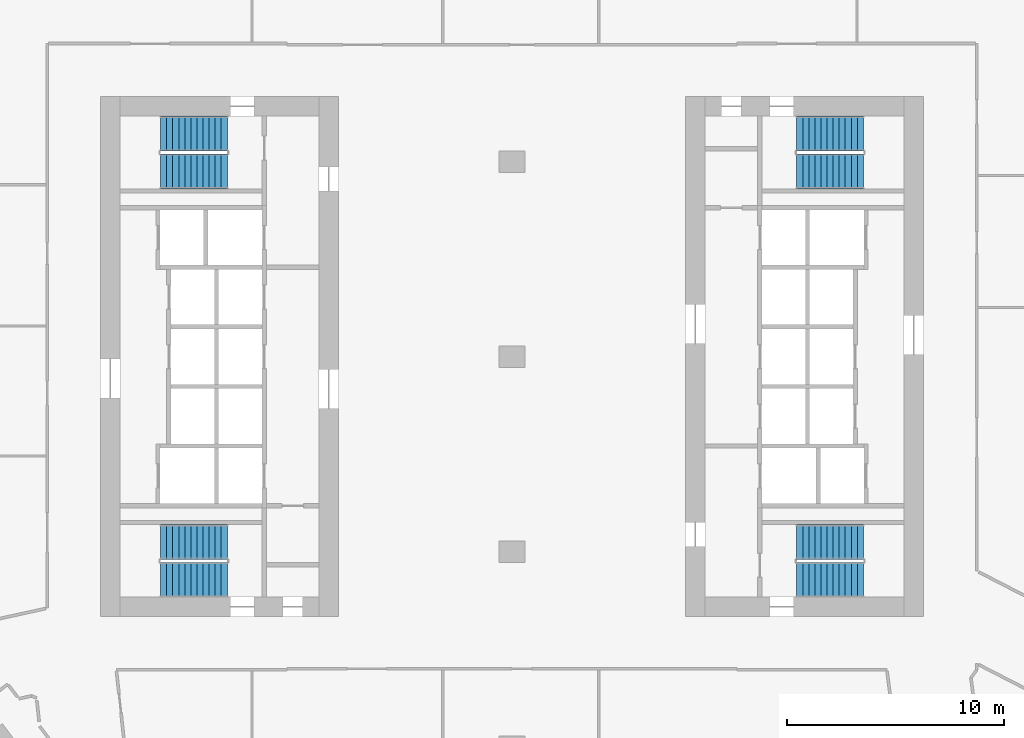
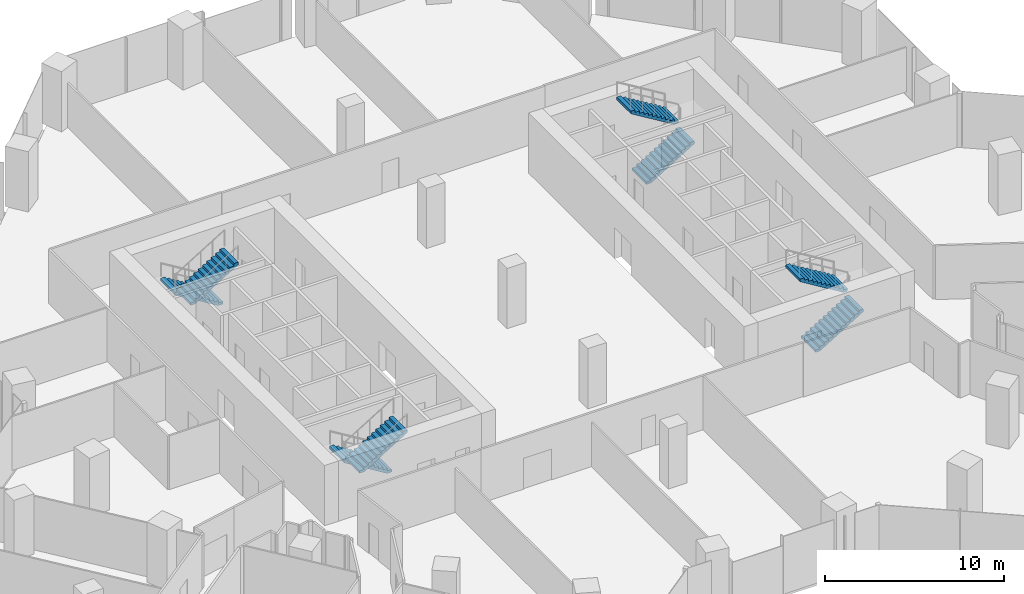
# One storey, part 27 of 29: 8 stair flights, 4 elements without a shape of their own.
"""IFC4 building model written with IfcOpenShell, lengths in metres."""

import ifcopenshell
import ifcopenshell.guid

model = None  # the IFC model being written
_history = None  # IfcOwnerHistory: only IFC2X3 demands one
_inside = {}  # id of a spatial element -> (the spatial element, [elements in it])
_under = {}  # id of a project, library or spatial element -> (it, [spatial elements below it])
_declared = {}  # id of a project -> (the project, [libraries it declares])
_typed = {}  # id of a type object -> (the type object, [elements of that type])
_made_of = {}  # id of a material, layer set ... -> (it, [elements and type objects made of it])


def new_model(schema):
    """Start an empty IFC model of exactly this schema.

    Asked for "IFC4X3", IfcOpenShell would pick the latest addendum, in which some entities
    have other attributes; the version numbers below select the first issue.
    IFC2X3 requires an IfcOwnerHistory on every rooted entity: one is made here for all.
    """
    global model, _history
    if schema == "IFC4X3":
        model = ifcopenshell.file(schema_version=(4, 3, 0, 0))
    else:
        model = ifcopenshell.file(schema=schema)
    _inside.clear()
    _under.clear()
    _declared.clear()
    _typed.clear()
    _made_of.clear()
    _history = None
    if model.schema == "IFC2X3":
        org = make("IfcOrganization", Name="unknown")
        user = make(
            "IfcPersonAndOrganization",
            ThePerson=make("IfcPerson", FamilyName="unknown"),
            TheOrganization=org,
        )
        app = make(
            "IfcApplication",
            ApplicationDeveloper=org,
            Version="unknown",
            ApplicationFullName="unknown",
            ApplicationIdentifier="unknown",
        )
        _history = make(
            "IfcOwnerHistory",
            OwningUser=user,
            OwningApplication=app,
            ChangeAction="ADDED",
            CreationDate=0,
        )
    return model


def make(cls, **values):
    """One entity of the class cls with the attributes given. An attribute that is None is left unset."""
    return model.create_entity(
        cls, **{name: value for name, value in values.items() if value is not None}
    )


def rooted(cls, **values):
    """An entity with a GlobalId (a new one), such as an element, a storey or a relation."""
    return make(cls, GlobalId=ifcopenshell.guid.new(), OwnerHistory=_history, **values)


def si_unit(unit_type, name, prefix=None):
    """IfcSIUnit, for example si_unit("LENGTHUNIT", "METRE", prefix="MILLI")."""
    return make("IfcSIUnit", UnitType=unit_type, Prefix=prefix, Name=name)


def assignment(units):
    """IfcUnitAssignment: the units of a project."""
    return None if units is None else make("IfcUnitAssignment", Units=units)


def point(xyz):
    """IfcCartesianPoint."""
    return None if xyz is None else make("IfcCartesianPoint", Coordinates=xyz)


def direction(xyz):
    """IfcDirection."""
    return None if xyz is None else make("IfcDirection", DirectionRatios=xyz)


def frame(location, z_axis=None, x_axis=None):
    """IfcAxis2Placement3D, a coordinate frame: its origin and axes. An axis left out is left unset."""
    return make(
        "IfcAxis2Placement3D",
        Location=point(location),
        Axis=direction(z_axis),
        RefDirection=direction(x_axis),
    )


def origin():
    """The frame at (0, 0, 0) with its axes left unset."""
    return frame((0.0, 0.0, 0.0))


def place(relative_to, where):
    """IfcLocalPlacement: puts the frame where relative to a parent placement (None: the world)."""
    return make(
        "IfcLocalPlacement", PlacementRelTo=relative_to, RelativePlacement=where
    )


def context(
    kind, dimensions, precision=None, world=None, true_north=None, identifier=None
):
    """IfcGeometricRepresentationContext, for example the 3D "Model" context."""
    return make(
        "IfcGeometricRepresentationContext",
        ContextIdentifier=identifier,
        ContextType=kind,
        CoordinateSpaceDimension=dimensions,
        Precision=precision,
        WorldCoordinateSystem=world,
        TrueNorth=true_north,
    )


def subcontext(parent, identifier, kind, view, scale=None):
    """IfcGeometricRepresentationSubContext, for example "Body" below "Model"."""
    return make(
        "IfcGeometricRepresentationSubContext",
        ContextIdentifier=identifier,
        ContextType=kind,
        ParentContext=parent,
        TargetScale=scale,
        TargetView=view,
    )


def project(units=None, contexts=None):
    """IfcProject with its units and contexts."""
    return rooted(
        "IfcProject",
        Name="project",
        RepresentationContexts=contexts,
        UnitsInContext=assignment(units),
    )


def spatial(cls, under=None, at=None, **own):
    """A site, building, storey or space (cls), placed at a placement, below another one or the project."""
    s = rooted(cls, ObjectPlacement=at, **own)
    if under is not None:
        _under.setdefault(under.id(), (under, []))[1].append(s)
    return s


def polyline(points):
    """IfcPolyline through the points."""
    return make("IfcPolyline", Points=[point(p) for p in points])


def outline(outer, holes=None, kind="AREA"):
    """IfcArbitraryClosedProfileDef: a profile drawn as a closed curve; with holes, ...WithVoids."""
    if holes is None:
        return make("IfcArbitraryClosedProfileDef", ProfileType=kind, OuterCurve=outer)
    return make(
        "IfcArbitraryProfileDefWithVoids",
        ProfileType=kind,
        OuterCurve=outer,
        InnerCurves=holes,
    )


def extrude(swept, where, along, depth):
    """IfcExtrudedAreaSolid: the profile swept, set in the frame where, extruded along a direction by depth."""
    return make(
        "IfcExtrudedAreaSolid",
        SweptArea=swept,
        Position=where,
        ExtrudedDirection=direction(along),
        Depth=depth,
    )


def shape(context_of_items, identifier, shape_type, items):
    """IfcShapeRepresentation: the items that make up one representation, for example the "Body"."""
    return make(
        "IfcShapeRepresentation",
        ContextOfItems=context_of_items,
        RepresentationIdentifier=identifier,
        RepresentationType=shape_type,
        Items=items,
    )


def material(Name=None, Category=None):
    """IfcMaterial."""
    return make("IfcMaterial", Name=Name, Category=Category)


def made_of(thing, what):
    """Note that an element or type object is made of a material, layer set ...; save() writes the relation."""
    if what is not None:
        _made_of.setdefault(what.id(), (what, []))[1].append(thing)
    return thing


def type_object(cls, material=None, **own):
    """A type object (cls), such as IfcWallType, which elements share."""
    return made_of(rooted(cls, **own), material)


def element(
    cls,
    number,
    at=None,
    inside=None,
    cuts=None,
    type_object=None,
    material=None,
    context=None,
    identifier="Body",
    shape_type=None,
    held_by="IfcProductDefinitionShape",
    body=None,
    shapes=None,
    **own,
):
    """One element of the class cls, such as IfcWall. Its Tag is "e" and its number.

    at: its placement. inside: the storey or other place that contains it. cuts: it is an
    opening in that element (IfcRelVoidsElement). A single representation is given by context,
    identifier, shape_type and body (its items); several are given by shapes. held_by: the class
    of the entity that holds the representations. save() writes the other relations.
    """
    e = rooted(cls, Tag="e%d" % number, ObjectPlacement=at, **own)
    if body is not None:
        shapes = [shape(context, identifier, shape_type, body)]
    if shapes is not None:
        e.Representation = make(held_by, Representations=shapes)
    if inside is not None:
        _inside.setdefault(inside.id(), (inside, []))[1].append(e)
    if cuts is not None:
        rooted(
            "IfcRelVoidsElement", RelatingBuildingElement=cuts, RelatedOpeningElement=e
        )
    if type_object is not None:
        _typed.setdefault(type_object.id(), (type_object, []))[1].append(e)
    return made_of(e, material)


def aggregate(whole, parts):
    """IfcRelAggregates: a whole, such as a stair, and the parts it consists of."""
    return rooted("IfcRelAggregates", RelatingObject=whole, RelatedObjects=parts)


def save(model, path):
    """Write the relations noted so far, then the file.

    IfcRelAggregates (storeys below a building ...), IfcRelContainedInSpatialStructure (elements
    in a storey), IfcRelDefinesByType, IfcRelAssociatesMaterial and IfcRelDeclares: one each for
    every whole, place, type object, material and project.
    """
    for whole, parts in _under.values():
        aggregate(whole, parts)
    for where, things in _inside.values():
        rooted(
            "IfcRelContainedInSpatialStructure",
            RelatedElements=things,
            RelatingStructure=where,
        )
    for kind, things in _typed.values():
        rooted("IfcRelDefinesByType", RelatedObjects=things, RelatingType=kind)
    for what, things in _made_of.values():
        rooted("IfcRelAssociatesMaterial", RelatedObjects=things, RelatingMaterial=what)
    for by, libraries in _declared.values():
        rooted("IfcRelDeclares", RelatingContext=by, RelatedDefinitions=libraries)
    model.write(path)


model = new_model("IFC4")

# Units and contexts
model_context = context("Model", 3, precision=1e-05, world=origin(), true_north=direction((0.0, 1.0)))
body_context = subcontext(model_context, "Body", "Model", "MODEL_VIEW")
ifc_project = project(units=[si_unit("LENGTHUNIT", "METRE"), si_unit("AREAUNIT", "SQUARE_METRE"), si_unit("VOLUMEUNIT", "CUBIC_METRE"), si_unit("PLANEANGLEUNIT", "RADIAN"), si_unit("MASSUNIT", "GRAM", prefix="KILO")], contexts=[model_context])

# Site, building, storey
site_placement = place(None, origin())
site = spatial("IfcSite", under=ifc_project, at=site_placement, CompositionType="ELEMENT")
building_placement = place(site_placement, origin())
building = spatial("IfcBuilding", under=site, at=building_placement, Name="Orlundy Tower", CompositionType="ELEMENT")
storey_placement = place(building_placement, frame((0.0, 0.0, 29.199951171875)))
storey = spatial("IfcBuildingStorey", under=building, at=storey_placement, Name="L05", CompositionType="ELEMENT", Elevation=29.199951171875)

# Stair, stair flights
ifc_material_1 = material(Name="Concrete C50/60", Category="concrete")
stair_type = type_object("IfcStairType", Name="Exit Stair 24 risers", PredefinedType="HALF_TURN_STAIR", material=ifc_material_1)
stair_1_placement = place(storey_placement, origin())
stair_1 = element("IfcStair", 1, at=stair_1_placement, inside=storey, type_object=stair_type, Name="L05 Exit Stair ST-W1", PredefinedType="HALF_TURN_STAIR")
ifc_material_2 = material(Name="Concrete C50/60", Category="concrete")
stair_flight_type = type_object("IfcStairFlightType", Name="Stair Flight 12 risers", PredefinedType="STRAIGHT", material=ifc_material_2)
stair_flight_1_placement = place(storey_placement, frame((-13.139892578125, 10.300048828125, 0.0), z_axis=(0.0, 0.0, 1.0), x_axis=(-1.0, 0.0, 0.0)))
stair_flight_1 = element("IfcStairFlight", 2, at=stair_flight_1_placement, type_object=stair_flight_type, Name="ST-W1 flight 1", NumberOfRisers=12, NumberOfTreads=11, PredefinedType="STRAIGHT", RiserHeight=0.170833333, TreadLength=0.28, context=body_context, shape_type="SweptSolid", body=[
    extrude(outline(polyline([(0.0, 0.0), (0.0, 0.1708984375), (0.280029296875, 0.1708984375), (0.280029296875, 0.341552734375), (0.56005859375, 0.341552734375), (0.56005859375, 0.512451171875), (0.840087890625, 0.512451171875), (0.840087890625, 0.683349609375), (1.1201171875, 0.683349609375), (1.1201171875, 0.854248046875), (1.39990234375, 0.854248046875), (1.39990234375, 1.02490234375), (1.679931640625, 1.02490234375), (1.679931640625, 1.19580078125), (1.9599609375, 1.19580078125), (1.9599609375, 1.36669921875), (2.239990234375, 1.36669921875), (2.239990234375, 1.53759765625), (2.52001953125, 1.53759765625), (2.52001953125, 1.708251953125), (2.800048828125, 1.708251953125), (2.800048828125, 1.879150390625), (3.080078125, 1.879150390625), (3.080078125, 2.050048828125), (3.080078125, 1.70361328125), (0.287841796875, 0.0), (0.0, 0.0)])), frame((0.0, 0.800048828125, 0.0), z_axis=(0.0, -1.0, 0.0), x_axis=(1.0, 0.0, 0.0)), (0.0, 0.0, 1.0), 1.60009765625),
])
stair_flight_2_placement = place(storey_placement, frame((-16.219970703125, 8.550048828125, 2.050048828125), z_axis=(0.0, 0.0, 1.0), x_axis=(1.0, 0.0, 0.0)))
stair_flight_2 = element("IfcStairFlight", 3, at=stair_flight_2_placement, type_object=stair_flight_type, Name="ST-W1 flight 2", NumberOfRisers=12, NumberOfTreads=11, PredefinedType="STRAIGHT", RiserHeight=0.170833333, TreadLength=0.28, context=body_context, shape_type="SweptSolid", body=[
    extrude(outline(polyline([(0.0, 0.0), (0.0, 0.1708984375), (0.280029296875, 0.1708984375), (0.280029296875, 0.341552734375), (0.56005859375, 0.341552734375), (0.56005859375, 0.512451171875), (0.840087890625, 0.512451171875), (0.840087890625, 0.683349609375), (1.1201171875, 0.683349609375), (1.1201171875, 0.854248046875), (1.39990234375, 0.854248046875), (1.39990234375, 1.02490234375), (1.679931640625, 1.02490234375), (1.679931640625, 1.19580078125), (1.9599609375, 1.19580078125), (1.9599609375, 1.36669921875), (2.239990234375, 1.36669921875), (2.239990234375, 1.53759765625), (2.52001953125, 1.53759765625), (2.52001953125, 1.708251953125), (2.800048828125, 1.708251953125), (2.800048828125, 1.879150390625), (3.080078125, 1.879150390625), (3.080078125, 2.050048828125), (3.080078125, 1.70361328125), (0.287841796875, 0.0), (0.0, 0.0)])), frame((0.0, 0.800048828125, 0.0), z_axis=(0.0, -1.0, 0.0), x_axis=(1.0, 0.0, 0.0)), (0.0, 0.0, 1.0), 1.60009765625),
])
aggregate(stair_1, [stair_flight_1, stair_flight_2])

stair_2_placement = place(storey_placement, origin())
stair_2 = element("IfcStair", 4, at=stair_2_placement, inside=storey, type_object=stair_type, Name="L05 Exit Stair ST-W2", PredefinedType="HALF_TURN_STAIR")
stair_flight_3_placement = place(storey_placement, frame((-13.139892578125, -8.550048828125, 0.0), z_axis=(0.0, 0.0, 1.0), x_axis=(-1.0, 0.0, 0.0)))
stair_flight_3 = element("IfcStairFlight", 5, at=stair_flight_3_placement, type_object=stair_flight_type, Name="ST-W2 flight 1", NumberOfRisers=12, NumberOfTreads=11, PredefinedType="STRAIGHT", RiserHeight=0.170833333, TreadLength=0.28, context=body_context, shape_type="SweptSolid", body=[
    extrude(outline(polyline([(0.0, 0.0), (0.0, 0.1708984375), (0.280029296875, 0.1708984375), (0.280029296875, 0.341552734375), (0.56005859375, 0.341552734375), (0.56005859375, 0.512451171875), (0.840087890625, 0.512451171875), (0.840087890625, 0.683349609375), (1.1201171875, 0.683349609375), (1.1201171875, 0.854248046875), (1.39990234375, 0.854248046875), (1.39990234375, 1.02490234375), (1.679931640625, 1.02490234375), (1.679931640625, 1.19580078125), (1.9599609375, 1.19580078125), (1.9599609375, 1.36669921875), (2.239990234375, 1.36669921875), (2.239990234375, 1.53759765625), (2.52001953125, 1.53759765625), (2.52001953125, 1.708251953125), (2.800048828125, 1.708251953125), (2.800048828125, 1.879150390625), (3.080078125, 1.879150390625), (3.080078125, 2.050048828125), (3.080078125, 1.70361328125), (0.287841796875, 0.0), (0.0, 0.0)])), frame((0.0, 0.800048828125, 0.0), z_axis=(0.0, -1.0, 0.0), x_axis=(1.0, 0.0, 0.0)), (0.0, 0.0, 1.0), 1.60009765625),
])
stair_flight_4_placement = place(storey_placement, frame((-16.219970703125, -10.300048828125, 2.050048828125), z_axis=(0.0, 0.0, 1.0), x_axis=(1.0, 0.0, 0.0)))
stair_flight_4 = element("IfcStairFlight", 6, at=stair_flight_4_placement, type_object=stair_flight_type, Name="ST-W2 flight 2", NumberOfRisers=12, NumberOfTreads=11, PredefinedType="STRAIGHT", RiserHeight=0.170833333, TreadLength=0.28, context=body_context, shape_type="SweptSolid", body=[
    extrude(outline(polyline([(0.0, 0.0), (0.0, 0.1708984375), (0.280029296875, 0.1708984375), (0.280029296875, 0.341552734375), (0.56005859375, 0.341552734375), (0.56005859375, 0.512451171875), (0.840087890625, 0.512451171875), (0.840087890625, 0.683349609375), (1.1201171875, 0.683349609375), (1.1201171875, 0.854248046875), (1.39990234375, 0.854248046875), (1.39990234375, 1.02490234375), (1.679931640625, 1.02490234375), (1.679931640625, 1.19580078125), (1.9599609375, 1.19580078125), (1.9599609375, 1.36669921875), (2.239990234375, 1.36669921875), (2.239990234375, 1.53759765625), (2.52001953125, 1.53759765625), (2.52001953125, 1.708251953125), (2.800048828125, 1.708251953125), (2.800048828125, 1.879150390625), (3.080078125, 1.879150390625), (3.080078125, 2.050048828125), (3.080078125, 1.70361328125), (0.287841796875, 0.0), (0.0, 0.0)])), frame((0.0, 0.800048828125, 0.0), z_axis=(0.0, -1.0, 0.0), x_axis=(1.0, 0.0, 0.0)), (0.0, 0.0, 1.0), 1.60009765625),
])
aggregate(stair_2, [stair_flight_3, stair_flight_4])

stair_3_placement = place(storey_placement, origin())
stair_3 = element("IfcStair", 7, at=stair_3_placement, inside=storey, type_object=stair_type, Name="L05 Exit Stair ST-E1", PredefinedType="HALF_TURN_STAIR")
stair_flight_5_placement = place(storey_placement, frame((13.139892578125, -10.300048828125, 0.0), z_axis=(0.0, 0.0, 1.0), x_axis=(1.0, 0.0, 0.0)))
stair_flight_5 = element("IfcStairFlight", 8, at=stair_flight_5_placement, type_object=stair_flight_type, Name="ST-E1 flight 1", NumberOfRisers=12, NumberOfTreads=11, PredefinedType="STRAIGHT", RiserHeight=0.170833333, TreadLength=0.28, context=body_context, shape_type="SweptSolid", body=[
    extrude(outline(polyline([(0.0, 0.0), (0.0, 0.1708984375), (0.280029296875, 0.1708984375), (0.280029296875, 0.341552734375), (0.56005859375, 0.341552734375), (0.56005859375, 0.512451171875), (0.840087890625, 0.512451171875), (0.840087890625, 0.683349609375), (1.1201171875, 0.683349609375), (1.1201171875, 0.854248046875), (1.39990234375, 0.854248046875), (1.39990234375, 1.02490234375), (1.679931640625, 1.02490234375), (1.679931640625, 1.19580078125), (1.9599609375, 1.19580078125), (1.9599609375, 1.36669921875), (2.239990234375, 1.36669921875), (2.239990234375, 1.53759765625), (2.52001953125, 1.53759765625), (2.52001953125, 1.708251953125), (2.800048828125, 1.708251953125), (2.800048828125, 1.879150390625), (3.080078125, 1.879150390625), (3.080078125, 2.050048828125), (3.080078125, 1.70361328125), (0.287841796875, 0.0), (0.0, 0.0)])), frame((0.0, 0.800048828125, 0.0), z_axis=(0.0, -1.0, 0.0), x_axis=(1.0, 0.0, 0.0)), (0.0, 0.0, 1.0), 1.60009765625),
])
stair_flight_6_placement = place(storey_placement, frame((16.219970703125, -8.550048828125, 2.050048828125), z_axis=(0.0, 0.0, 1.0), x_axis=(-1.0, 0.0, 0.0)))
stair_flight_6 = element("IfcStairFlight", 9, at=stair_flight_6_placement, type_object=stair_flight_type, Name="ST-E1 flight 2", NumberOfRisers=12, NumberOfTreads=11, PredefinedType="STRAIGHT", RiserHeight=0.170833333, TreadLength=0.28, context=body_context, shape_type="SweptSolid", body=[
    extrude(outline(polyline([(0.0, 0.0), (0.0, 0.1708984375), (0.280029296875, 0.1708984375), (0.280029296875, 0.341552734375), (0.56005859375, 0.341552734375), (0.56005859375, 0.512451171875), (0.840087890625, 0.512451171875), (0.840087890625, 0.683349609375), (1.1201171875, 0.683349609375), (1.1201171875, 0.854248046875), (1.39990234375, 0.854248046875), (1.39990234375, 1.02490234375), (1.679931640625, 1.02490234375), (1.679931640625, 1.19580078125), (1.9599609375, 1.19580078125), (1.9599609375, 1.36669921875), (2.239990234375, 1.36669921875), (2.239990234375, 1.53759765625), (2.52001953125, 1.53759765625), (2.52001953125, 1.708251953125), (2.800048828125, 1.708251953125), (2.800048828125, 1.879150390625), (3.080078125, 1.879150390625), (3.080078125, 2.050048828125), (3.080078125, 1.70361328125), (0.287841796875, 0.0), (0.0, 0.0)])), frame((0.0, 0.800048828125, 0.0), z_axis=(0.0, -1.0, 0.0), x_axis=(1.0, 0.0, 0.0)), (0.0, 0.0, 1.0), 1.60009765625),
])
aggregate(stair_3, [stair_flight_5, stair_flight_6])

stair_4_placement = place(storey_placement, origin())
stair_4 = element("IfcStair", 10, at=stair_4_placement, inside=storey, type_object=stair_type, Name="L05 Exit Stair ST-E2", PredefinedType="HALF_TURN_STAIR")
stair_flight_7_placement = place(storey_placement, frame((13.139892578125, 8.550048828125, 0.0), z_axis=(0.0, 0.0, 1.0), x_axis=(1.0, 0.0, 0.0)))
stair_flight_7 = element("IfcStairFlight", 11, at=stair_flight_7_placement, type_object=stair_flight_type, Name="ST-E2 flight 1", NumberOfRisers=12, NumberOfTreads=11, PredefinedType="STRAIGHT", RiserHeight=0.170833333, TreadLength=0.28, context=body_context, shape_type="SweptSolid", body=[
    extrude(outline(polyline([(0.0, 0.0), (0.0, 0.1708984375), (0.280029296875, 0.1708984375), (0.280029296875, 0.341552734375), (0.56005859375, 0.341552734375), (0.56005859375, 0.512451171875), (0.840087890625, 0.512451171875), (0.840087890625, 0.683349609375), (1.1201171875, 0.683349609375), (1.1201171875, 0.854248046875), (1.39990234375, 0.854248046875), (1.39990234375, 1.02490234375), (1.679931640625, 1.02490234375), (1.679931640625, 1.19580078125), (1.9599609375, 1.19580078125), (1.9599609375, 1.36669921875), (2.239990234375, 1.36669921875), (2.239990234375, 1.53759765625), (2.52001953125, 1.53759765625), (2.52001953125, 1.708251953125), (2.800048828125, 1.708251953125), (2.800048828125, 1.879150390625), (3.080078125, 1.879150390625), (3.080078125, 2.050048828125), (3.080078125, 1.70361328125), (0.287841796875, 0.0), (0.0, 0.0)])), frame((0.0, 0.800048828125, 0.0), z_axis=(0.0, -1.0, 0.0), x_axis=(1.0, 0.0, 0.0)), (0.0, 0.0, 1.0), 1.60009765625),
])
stair_flight_8_placement = place(storey_placement, frame((16.219970703125, 10.300048828125, 2.050048828125), z_axis=(0.0, 0.0, 1.0), x_axis=(-1.0, 0.0, 0.0)))
stair_flight_8 = element("IfcStairFlight", 12, at=stair_flight_8_placement, type_object=stair_flight_type, Name="ST-E2 flight 2", NumberOfRisers=12, NumberOfTreads=11, PredefinedType="STRAIGHT", RiserHeight=0.170833333, TreadLength=0.28, context=body_context, shape_type="SweptSolid", body=[
    extrude(outline(polyline([(0.0, 0.0), (0.0, 0.1708984375), (0.280029296875, 0.1708984375), (0.280029296875, 0.341552734375), (0.56005859375, 0.341552734375), (0.56005859375, 0.512451171875), (0.840087890625, 0.512451171875), (0.840087890625, 0.683349609375), (1.1201171875, 0.683349609375), (1.1201171875, 0.854248046875), (1.39990234375, 0.854248046875), (1.39990234375, 1.02490234375), (1.679931640625, 1.02490234375), (1.679931640625, 1.19580078125), (1.9599609375, 1.19580078125), (1.9599609375, 1.36669921875), (2.239990234375, 1.36669921875), (2.239990234375, 1.53759765625), (2.52001953125, 1.53759765625), (2.52001953125, 1.708251953125), (2.800048828125, 1.708251953125), (2.800048828125, 1.879150390625), (3.080078125, 1.879150390625), (3.080078125, 2.050048828125), (3.080078125, 1.70361328125), (0.287841796875, 0.0), (0.0, 0.0)])), frame((0.0, 0.800048828125, 0.0), z_axis=(0.0, -1.0, 0.0), x_axis=(1.0, 0.0, 0.0)), (0.0, 0.0, 1.0), 1.60009765625),
])
aggregate(stair_4, [stair_flight_7, stair_flight_8])

save(model, "model.ifc")
